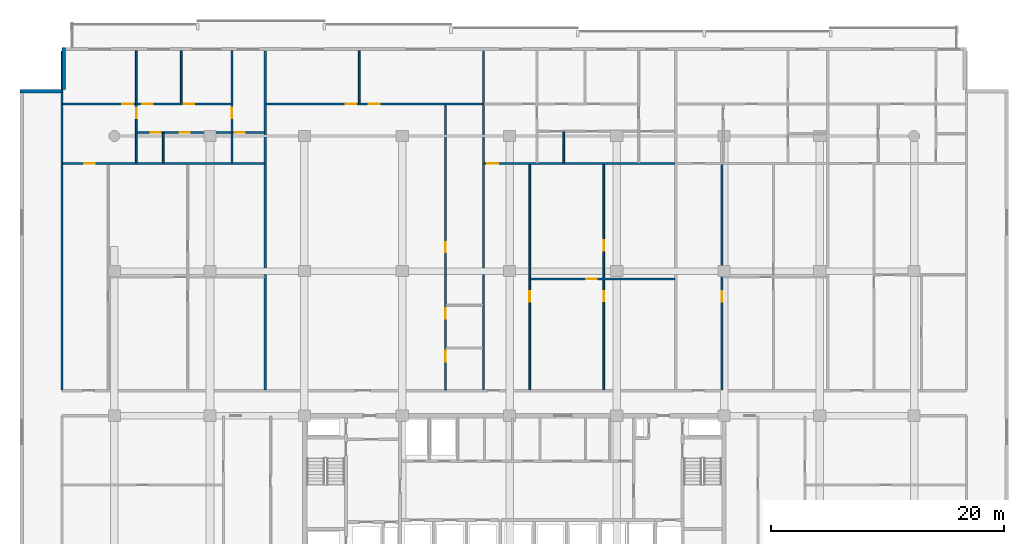
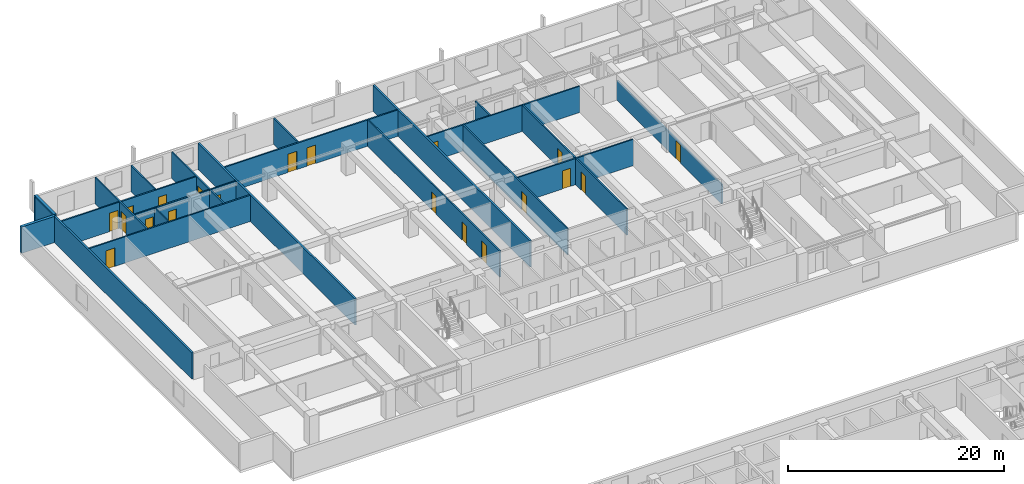
# One storey, part 14 of 23: 22 walls, 20 doors, 20 openings.
"""IFC4 building model written with IfcOpenShell, lengths in metres."""

import ifcopenshell
import ifcopenshell.guid

model = None  # the IFC model being written
_history = None  # IfcOwnerHistory: only IFC2X3 demands one
_inside = {}  # id of a spatial element -> (the spatial element, [elements in it])
_under = {}  # id of a project, library or spatial element -> (it, [spatial elements below it])
_declared = {}  # id of a project -> (the project, [libraries it declares])
_typed = {}  # id of a type object -> (the type object, [elements of that type])
_made_of = {}  # id of a material, layer set ... -> (it, [elements and type objects made of it])


def new_model(schema):
    """Start an empty IFC model of exactly this schema.

    Asked for "IFC4X3", IfcOpenShell would pick the latest addendum, in which some entities
    have other attributes; the version numbers below select the first issue.
    IFC2X3 requires an IfcOwnerHistory on every rooted entity: one is made here for all.
    """
    global model, _history
    if schema == "IFC4X3":
        model = ifcopenshell.file(schema_version=(4, 3, 0, 0))
    else:
        model = ifcopenshell.file(schema=schema)
    _inside.clear()
    _under.clear()
    _declared.clear()
    _typed.clear()
    _made_of.clear()
    _history = None
    if model.schema == "IFC2X3":
        org = make("IfcOrganization", Name="unknown")
        user = make(
            "IfcPersonAndOrganization",
            ThePerson=make("IfcPerson", FamilyName="unknown"),
            TheOrganization=org,
        )
        app = make(
            "IfcApplication",
            ApplicationDeveloper=org,
            Version="unknown",
            ApplicationFullName="unknown",
            ApplicationIdentifier="unknown",
        )
        _history = make(
            "IfcOwnerHistory",
            OwningUser=user,
            OwningApplication=app,
            ChangeAction="ADDED",
            CreationDate=0,
        )
    return model


def make(cls, **values):
    """One entity of the class cls with the attributes given. An attribute that is None is left unset."""
    return model.create_entity(
        cls, **{name: value for name, value in values.items() if value is not None}
    )


def rooted(cls, **values):
    """An entity with a GlobalId (a new one), such as an element, a storey or a relation."""
    return make(cls, GlobalId=ifcopenshell.guid.new(), OwnerHistory=_history, **values)


def si_unit(unit_type, name, prefix=None):
    """IfcSIUnit, for example si_unit("LENGTHUNIT", "METRE", prefix="MILLI")."""
    return make("IfcSIUnit", UnitType=unit_type, Prefix=prefix, Name=name)


def assignment(units):
    """IfcUnitAssignment: the units of a project."""
    return None if units is None else make("IfcUnitAssignment", Units=units)


def point(xyz):
    """IfcCartesianPoint."""
    return None if xyz is None else make("IfcCartesianPoint", Coordinates=xyz)


def direction(xyz):
    """IfcDirection."""
    return None if xyz is None else make("IfcDirection", DirectionRatios=xyz)


def frame(location, z_axis=None, x_axis=None):
    """IfcAxis2Placement3D, a coordinate frame: its origin and axes. An axis left out is left unset."""
    return make(
        "IfcAxis2Placement3D",
        Location=point(location),
        Axis=direction(z_axis),
        RefDirection=direction(x_axis),
    )


def frame_2d(location, x_axis=None):
    """IfcAxis2Placement2D, a coordinate frame in the plane: its origin and x axis."""
    return make(
        "IfcAxis2Placement2D", Location=point(location), RefDirection=direction(x_axis)
    )


def origin():
    """The frame at (0, 0, 0) with its axes left unset."""
    return frame((0.0, 0.0, 0.0))


def place(relative_to, where):
    """IfcLocalPlacement: puts the frame where relative to a parent placement (None: the world)."""
    return make(
        "IfcLocalPlacement", PlacementRelTo=relative_to, RelativePlacement=where
    )


def context(
    kind, dimensions, precision=None, world=None, true_north=None, identifier=None
):
    """IfcGeometricRepresentationContext, for example the 3D "Model" context."""
    return make(
        "IfcGeometricRepresentationContext",
        ContextIdentifier=identifier,
        ContextType=kind,
        CoordinateSpaceDimension=dimensions,
        Precision=precision,
        WorldCoordinateSystem=world,
        TrueNorth=true_north,
    )


def subcontext(parent, identifier, kind, view, scale=None):
    """IfcGeometricRepresentationSubContext, for example "Body" below "Model"."""
    return make(
        "IfcGeometricRepresentationSubContext",
        ContextIdentifier=identifier,
        ContextType=kind,
        ParentContext=parent,
        TargetScale=scale,
        TargetView=view,
    )


def project(units=None, contexts=None):
    """IfcProject with its units and contexts."""
    return rooted(
        "IfcProject",
        Name="project",
        RepresentationContexts=contexts,
        UnitsInContext=assignment(units),
    )


def spatial(cls, under=None, at=None, **own):
    """A site, building, storey or space (cls), placed at a placement, below another one or the project."""
    s = rooted(cls, ObjectPlacement=at, **own)
    if under is not None:
        _under.setdefault(under.id(), (under, []))[1].append(s)
    return s


def profile(cls, at=None, kind="AREA", **sizes):
    """A parametric profile (cls). Its sizes go by their IFC names, for example OverallWidth=200.0."""
    return make(cls, ProfileType=kind, Position=at, **sizes)


def rectangle(**sizes):
    """IfcRectangleProfileDef."""
    return profile("IfcRectangleProfileDef", **sizes)


def extrude(swept, where, along, depth):
    """IfcExtrudedAreaSolid: the profile swept, set in the frame where, extruded along a direction by depth."""
    return make(
        "IfcExtrudedAreaSolid",
        SweptArea=swept,
        Position=where,
        ExtrudedDirection=direction(along),
        Depth=depth,
    )


def shape(context_of_items, identifier, shape_type, items):
    """IfcShapeRepresentation: the items that make up one representation, for example the "Body"."""
    return make(
        "IfcShapeRepresentation",
        ContextOfItems=context_of_items,
        RepresentationIdentifier=identifier,
        RepresentationType=shape_type,
        Items=items,
    )


def material(Name=None, Category=None):
    """IfcMaterial."""
    return make("IfcMaterial", Name=Name, Category=Category)


def layer(
    of_material, thickness, ventilated=None, Name=None, Category=None, Priority=None
):
    """IfcMaterialLayer: one layer of a wall or slab, of a material (None: an air gap)."""
    return make(
        "IfcMaterialLayer",
        Material=of_material,
        LayerThickness=thickness,
        IsVentilated=ventilated,
        Name=Name,
        Category=Category,
        Priority=Priority,
    )


def layer_set(layers, Name=None):
    """IfcMaterialLayerSet."""
    return make("IfcMaterialLayerSet", MaterialLayers=layers, LayerSetName=Name)


def made_of(thing, what):
    """Note that an element or type object is made of a material, layer set ...; save() writes the relation."""
    if what is not None:
        _made_of.setdefault(what.id(), (what, []))[1].append(thing)
    return thing


def type_object(cls, material=None, **own):
    """A type object (cls), such as IfcWallType, which elements share."""
    return made_of(rooted(cls, **own), material)


def element(
    cls,
    number,
    at=None,
    inside=None,
    cuts=None,
    type_object=None,
    material=None,
    context=None,
    identifier="Body",
    shape_type=None,
    held_by="IfcProductDefinitionShape",
    body=None,
    shapes=None,
    **own,
):
    """One element of the class cls, such as IfcWall. Its Tag is "e" and its number.

    at: its placement. inside: the storey or other place that contains it. cuts: it is an
    opening in that element (IfcRelVoidsElement). A single representation is given by context,
    identifier, shape_type and body (its items); several are given by shapes. held_by: the class
    of the entity that holds the representations. save() writes the other relations.
    """
    e = rooted(cls, Tag="e%d" % number, ObjectPlacement=at, **own)
    if body is not None:
        shapes = [shape(context, identifier, shape_type, body)]
    if shapes is not None:
        e.Representation = make(held_by, Representations=shapes)
    if inside is not None:
        _inside.setdefault(inside.id(), (inside, []))[1].append(e)
    if cuts is not None:
        rooted(
            "IfcRelVoidsElement", RelatingBuildingElement=cuts, RelatedOpeningElement=e
        )
    if type_object is not None:
        _typed.setdefault(type_object.id(), (type_object, []))[1].append(e)
    return made_of(e, material)


def fill(opening, filler):
    """IfcRelFillsElement: the door or window that sits in an opening."""
    return rooted(
        "IfcRelFillsElement",
        RelatingOpeningElement=opening,
        RelatedBuildingElement=filler,
    )


def aggregate(whole, parts):
    """IfcRelAggregates: a whole, such as a stair, and the parts it consists of."""
    return rooted("IfcRelAggregates", RelatingObject=whole, RelatedObjects=parts)


def save(model, path):
    """Write the relations noted so far, then the file.

    IfcRelAggregates (storeys below a building ...), IfcRelContainedInSpatialStructure (elements
    in a storey), IfcRelDefinesByType, IfcRelAssociatesMaterial and IfcRelDeclares: one each for
    every whole, place, type object, material and project.
    """
    for whole, parts in _under.values():
        aggregate(whole, parts)
    for where, things in _inside.values():
        rooted(
            "IfcRelContainedInSpatialStructure",
            RelatedElements=things,
            RelatingStructure=where,
        )
    for kind, things in _typed.values():
        rooted("IfcRelDefinesByType", RelatedObjects=things, RelatingType=kind)
    for what, things in _made_of.values():
        rooted("IfcRelAssociatesMaterial", RelatedObjects=things, RelatingMaterial=what)
    for by, libraries in _declared.values():
        rooted("IfcRelDeclares", RelatingContext=by, RelatedDefinitions=libraries)
    model.write(path)


model = new_model("IFC4")

# Units and contexts
model_context = context("Model", 3, precision=1e-05, world=origin(), true_north=direction((0.0, 1.0)))
body_context = subcontext(model_context, "Body", "Model", "MODEL_VIEW")
ifc_project = project(units=[si_unit("LENGTHUNIT", "METRE"), si_unit("AREAUNIT", "SQUARE_METRE"), si_unit("VOLUMEUNIT", "CUBIC_METRE"), si_unit("PLANEANGLEUNIT", "RADIAN"), si_unit("MASSUNIT", "GRAM", prefix="KILO")], contexts=[model_context])

# Site, building, storey
site_placement = place(None, origin())
site = spatial("IfcSite", under=ifc_project, at=site_placement, CompositionType="ELEMENT")
building_placement = place(site_placement, origin())
building = spatial("IfcBuilding", under=site, at=building_placement, Name="Korimba Cascade Residences", CompositionType="ELEMENT")
storey_placement = place(building_placement, frame((0.0, 0.0, 69.5)))
storey = spatial("IfcBuildingStorey", under=building, at=storey_placement, Name="L19", CompositionType="ELEMENT", Elevation=69.5)

# Walls
ifc_material_1 = material(Name="Precast concrete C40/50", Category="concrete")
ifc_layer_1 = layer(ifc_material_1, 0.300048828125)
ifc_layer_set_1 = layer_set([ifc_layer_1], Name="Precast concrete C40/50")
wall_type_1 = type_object("IfcWallType", Name="EW-STONE-300", PredefinedType="STANDARD", material=ifc_layer_set_1)
for number, where, z_axis, x_axis, name in (
    (1, (55.449951171875, 98.800048828125, 0.0), (0.0, 0.0, 1.0), (0.0, -1.0, 0.0), "L19 T1 Perimeter Stone Wall E07"),
    (2, (55.300048828125, 95.050048828125, 0.0), (0.0, 0.0, 1.0), (-1.0, 0.0, 0.0), "L19 T1 Perimeter Stone Wall E08"),
):
    element("IfcWall", number, at=place(storey_placement, frame(where, z_axis=z_axis, x_axis=x_axis)), inside=storey, type_object=wall_type_1, Name=name, PredefinedType="STANDARD", context=body_context, shape_type="SweptSolid", body=[
        extrude(rectangle(XDim=3.60009765625, YDim=0.300048828125, at=frame_2d((1.800048828125, 0.0))), origin(), (0.0, 0.0, 1.0), 2.969970703125),
    ])
ifc_layer_2 = layer(ifc_material_1, 0.199951171875)
ifc_layer_set_2 = layer_set([ifc_layer_2], Name="Precast concrete C40/50")
wall_type_2 = type_object("IfcWallType", Name="WAL-IT-200", PredefinedType="PARTITIONING", material=ifc_layer_set_2)
for number, where, z_axis, x_axis, name in (
    (3, (55.300048828125, 69.429931640625, 0.0), (0.0, 0.0, 1.0), (0.0, 1.0, 0.0), "L19 Partition Wall WAL-L19-T1-BNDWL"),
    (4, (72.734130859375, 69.429931640625, 0.0), (0.0, 0.0, 1.0), (0.0, 1.0, 0.0), "L19 Partition Wall WAL-L19-T1-DEM-1"),
    (5, (91.4609375, 69.429931640625, 0.0), (0.0, 0.0, 1.0), (0.0, 1.0, 0.0), "L19 Partition Wall WAL-L19-T1-DEM-2"),
):
    element("IfcWall", number, at=place(storey_placement, frame(where, z_axis=z_axis, x_axis=x_axis)), inside=storey, type_object=wall_type_2, Name=name, PredefinedType="PARTITIONING", context=body_context, shape_type="SweptSolid", body=[
        extrude(rectangle(XDim=29.070068359375, YDim=0.199951171875, at=frame_2d((14.53515625, 0.0))), origin(), (0.0, 0.0, 1.0), 2.969970703125),
    ])
ifc_material_2 = material(Name="Insulated Acoustic Stud Partition", Category="gypsum")
ifc_layer_3 = layer(ifc_material_2, 0.14990234375)
ifc_layer_set_3 = layer_set([ifc_layer_3], Name="Insulated Acoustic Stud Partition")
wall_type_3 = type_object("IfcWallType", Name="WAL-PART-150", PredefinedType="PARTITIONING", material=ifc_layer_set_3)
wall_1_placement = place(storey_placement, frame((63.989990234375, 88.889892578125, 0.0), z_axis=(0.0, 0.0, 1.0), x_axis=(0.0, 1.0, 0.0)))
element("IfcWall", 6, at=wall_1_placement, inside=storey, type_object=wall_type_3, Name="L19 Partition Wall WAL-L19-T1-U01-VDRS", PredefinedType="PARTITIONING", context=body_context, shape_type="SweptSolid", body=[
    extrude(rectangle(XDim=2.580078125, YDim=0.14990234375, at=frame_2d((1.2900390625, 0.0))), origin(), (0.0, 0.0, 1.0), 2.969970703125),
])
wall_2_placement = place(storey_placement, frame((65.530029296875, 94.030029296875, 0.0), z_axis=(0.0, 0.0, 1.0), x_axis=(0.0, 1.0, 0.0)))
element("IfcWall", 7, at=wall_2_placement, inside=storey, type_object=wall_type_3, Name="L19 Partition Wall WAL-L19-T1-U01-VSTD", PredefinedType="PARTITIONING", context=body_context, shape_type="SweptSolid", body=[
    extrude(rectangle(XDim=4.469970703125, YDim=0.14990234375, at=frame_2d((2.23486328125, 0.0))), origin(), (0.0, 0.0, 1.0), 2.969970703125),
])

# Wall, opening, door
wall_3_placement = place(storey_placement, frame((61.679931640625, 88.889892578125, 0.0), z_axis=(0.0, 0.0, 1.0), x_axis=(0.0, 1.0, 0.0)))
wall_3 = element("IfcWall", 8, at=wall_3_placement, inside=storey, type_object=wall_type_3, Name="L19 Partition Wall WAL-L19-T1-U01-V1", PredefinedType="PARTITIONING", context=body_context, shape_type="SweptSolid", body=[
    extrude(rectangle(XDim=9.610107421875, YDim=0.14990234375, at=frame_2d((4.80517578125, 0.0))), origin(), (0.0, 0.0, 1.0), 2.969970703125),
])
opening_1_placement = place(wall_3_placement, frame((3.820068359375, 0.0, 0.0)))
opening_1 = element("IfcOpeningElement", 9, at=opening_1_placement, cuts=wall_3, Name="Opening D-IN1", PredefinedType="OPENING", context=body_context, shape_type="SweptSolid", body=[
    extrude(rectangle(XDim=0.919921875, YDim=2.080078125, at=frame_2d((0.4599609375, 1.0400390625))), frame((0.0, 0.0849609375, 0.0), z_axis=(0.0, -1.0, 0.0), x_axis=(1.0, 0.0, 0.0)), (0.0, 0.0, 1.0), 0.169921875),
])
ifc_material_3 = material(Name="Acoustic Timber Living Door", Category="wood")
door_type_1 = type_object("IfcDoorType", Name="DR-INT-920", OperationType="NOTDEFINED", PredefinedType="DOOR", material=ifc_material_3)
door_1_placement = place(opening_1_placement, origin())
door_1 = element("IfcDoor", 10, at=door_1_placement, inside=storey, type_object=door_type_1, Name="L19-T1-U01 Hallway Door", OperationType="SINGLE_SWING_RIGHT", OverallHeight=2.080078125, OverallWidth=0.919921875, PredefinedType="DOOR", context=body_context, shape_type="SweptSolid", body=[
    extrude(rectangle(XDim=0.919921875, YDim=2.080078125, at=frame_2d((0.4599609375, 1.0400390625))), frame((0.0, 0.02490234375, 0.0), z_axis=(0.0, -1.0, 0.0), x_axis=(1.0, 0.0, 0.0)), (0.0, 0.0, 1.0), 0.050048828125),
])
fill(opening_1, door_1)

# Wall
wall_4_placement = place(storey_placement, frame((69.8798828125, 88.889892578125, 0.0), z_axis=(0.0, 0.0, 1.0), x_axis=(0.0, 1.0, 0.0)))
element("IfcWall", 11, at=wall_4_placement, inside=storey, type_object=wall_type_3, Name="L19 Partition Wall WAL-L19-T1-U01-VBATH", PredefinedType="PARTITIONING", context=body_context, shape_type="SweptSolid", body=[
    extrude(rectangle(XDim=2.580078125, YDim=0.14990234375, at=frame_2d((1.2900390625, 0.0))), origin(), (0.0, 0.0, 1.0), 2.969970703125),
])

# Wall, opening, door
wall_5_placement = place(storey_placement, frame((69.8798828125, 91.510009765625, 0.0), z_axis=(0.0, 0.0, 1.0), x_axis=(0.0, 1.0, 0.0)))
wall_5 = element("IfcWall", 12, at=wall_5_placement, inside=storey, type_object=wall_type_3, Name="L19 Partition Wall WAL-L19-T1-U01-V2FULL", PredefinedType="PARTITIONING", context=body_context, shape_type="SweptSolid", body=[
    extrude(rectangle(XDim=6.989990234375, YDim=0.14990234375, at=frame_2d((3.4951171875, 0.0))), origin(), (0.0, 0.0, 1.0), 2.969970703125),
])
opening_2_placement = place(wall_5_placement, frame((1.199951171875, 0.0, 0.0)))
opening_2 = element("IfcOpeningElement", 13, at=opening_2_placement, cuts=wall_5, Name="Opening D-IN1", PredefinedType="OPENING", context=body_context, shape_type="SweptSolid", body=[
    extrude(rectangle(XDim=0.919921875, YDim=2.080078125, at=frame_2d((0.4599609375, 1.0400390625))), frame((0.0, 0.0849609375, 0.0), z_axis=(0.0, -1.0, 0.0), x_axis=(1.0, 0.0, 0.0)), (0.0, 0.0, 1.0), 0.169921875),
])
door_2_placement = place(opening_2_placement, origin())
door_2 = element("IfcDoor", 14, at=door_2_placement, inside=storey, type_object=door_type_1, Name="L19-T1-U01 Master Bedroom Door", OperationType="SINGLE_SWING_LEFT", OverallHeight=2.080078125, OverallWidth=0.919921875, PredefinedType="DOOR", context=body_context, shape_type="SweptSolid", body=[
    extrude(rectangle(XDim=0.919921875, YDim=2.080078125, at=frame_2d((0.4599609375, 1.0400390625))), frame((0.0, 0.02490234375, 0.0), z_axis=(0.0, -1.0, 0.0), x_axis=(1.0, 0.0, 0.0)), (0.0, 0.0, 1.0), 0.050048828125),
])
fill(opening_2, door_2)

# Wall, openings, doors
wall_6_placement = place(storey_placement, frame((61.719970703125, 91.489990234375, 0.0), z_axis=(0.0, 0.0, 1.0), x_axis=(1.0, 0.0, 0.0)))
wall_6 = element("IfcWall", 15, at=wall_6_placement, inside=storey, type_object=wall_type_3, Name="L19 Partition Wall WAL-L19-T1-U01-HWALL", PredefinedType="PARTITIONING", context=body_context, shape_type="SweptSolid", body=[
    extrude(rectangle(XDim=10.93408203125, YDim=0.14990234375, at=frame_2d((5.467041015625, 0.0))), origin(), (0.0, 0.0, 1.0), 2.969970703125),
])
opening_3_placement = place(wall_6_placement, frame((1.2099609375, 0.0, 0.0)))
opening_3 = element("IfcOpeningElement", 16, at=opening_3_placement, cuts=wall_6, Name="Opening D-BT1", PredefinedType="OPENING", context=body_context, shape_type="SweptSolid", body=[
    extrude(rectangle(XDim=0.840087890625, YDim=2.0400390625, at=frame_2d((0.419921875, 1.02001953125))), frame((0.0, 0.0849609375, 0.0), z_axis=(0.0, -1.0, 0.0), x_axis=(1.0, 0.0, 0.0)), (0.0, 0.0, 1.0), 0.169921875),
])
opening_4_placement = place(wall_6_placement, frame((3.688720703125, 0.0, 0.0)))
opening_4 = element("IfcOpeningElement", 17, at=opening_4_placement, cuts=wall_6, Name="Opening D-BT1", PredefinedType="OPENING", context=body_context, shape_type="SweptSolid", body=[
    extrude(rectangle(XDim=0.840087890625, YDim=2.0400390625, at=frame_2d((0.419921875, 1.02001953125))), frame((0.0, 0.0849609375, 0.0), z_axis=(0.0, -1.0, 0.0), x_axis=(1.0, 0.0, 0.0)), (0.0, 0.0, 1.0), 0.169921875),
])
opening_5_placement = place(wall_6_placement, frame((8.409912109375, 0.0, 0.0)))
opening_5 = element("IfcOpeningElement", 18, at=opening_5_placement, cuts=wall_6, Name="Opening D-BT1", PredefinedType="OPENING", context=body_context, shape_type="SweptSolid", body=[
    extrude(rectangle(XDim=0.840087890625, YDim=2.0400390625, at=frame_2d((0.419921875, 1.02001953125))), frame((0.0, 0.0849609375, 0.0), z_axis=(0.0, -1.0, 0.0), x_axis=(1.0, 0.0, 0.0)), (0.0, 0.0, 1.0), 0.169921875),
])
ifc_material_4 = material(Name="Moisture-Resistant Bathroom Timber Door", Category="wood")
door_type_2 = type_object("IfcDoorType", Name="DR-INT-850", OperationType="NOTDEFINED", PredefinedType="DOOR", material=ifc_material_4)
door_3_placement = place(opening_3_placement, origin())
door_3 = element("IfcDoor", 19, at=door_3_placement, inside=storey, type_object=door_type_2, Name="L19-T1-U01 Family Bathroom Door", OperationType="SINGLE_SWING_RIGHT", OverallHeight=2.0400390625, OverallWidth=0.840087890625, PredefinedType="DOOR", context=body_context, shape_type="SweptSolid", body=[
    extrude(rectangle(XDim=0.840087890625, YDim=2.0400390625, at=frame_2d((0.419921875, 1.02001953125))), frame((0.0, 0.02490234375, 0.0), z_axis=(0.0, -1.0, 0.0), x_axis=(1.0, 0.0, 0.0)), (0.0, 0.0, 1.0), 0.050048828125),
])
fill(opening_3, door_3)
door_4_placement = place(opening_4_placement, origin())
door_4 = element("IfcDoor", 20, at=door_4_placement, inside=storey, type_object=door_type_2, Name="L19-T1-U01 Dressing Room Door", OperationType="SINGLE_SWING_LEFT", OverallHeight=2.0400390625, OverallWidth=0.840087890625, PredefinedType="DOOR", context=body_context, shape_type="SweptSolid", body=[
    extrude(rectangle(XDim=0.840087890625, YDim=2.0400390625, at=frame_2d((0.419921875, 1.02001953125))), frame((0.0, 0.02490234375, 0.0), z_axis=(0.0, -1.0, 0.0), x_axis=(1.0, 0.0, 0.0)), (0.0, 0.0, 1.0), 0.050048828125),
])
fill(opening_4, door_4)
door_5_placement = place(opening_5_placement, origin())
door_5 = element("IfcDoor", 21, at=door_5_placement, inside=storey, type_object=door_type_2, Name="L19-T1-U01 En-Suite Door", OperationType="SINGLE_SWING_RIGHT", OverallHeight=2.0400390625, OverallWidth=0.840087890625, PredefinedType="DOOR", context=body_context, shape_type="SweptSolid", body=[
    extrude(rectangle(XDim=0.840087890625, YDim=2.0400390625, at=frame_2d((0.419921875, 1.02001953125))), frame((0.0, 0.02490234375, 0.0), z_axis=(0.0, -1.0, 0.0), x_axis=(1.0, 0.0, 0.0)), (0.0, 0.0, 1.0), 0.050048828125),
])
fill(opening_5, door_5)

# Wall, opening, door
wall_7_placement = place(storey_placement, frame((55.3798828125, 88.85009765625, 0.0), z_axis=(0.0, 0.0, 1.0), x_axis=(1.0, 0.0, 0.0)))
wall_7 = element("IfcWall", 22, at=wall_7_placement, inside=storey, type_object=wall_type_3, Name="L19 Partition Wall WAL-L19-T1-U01-MW", PredefinedType="PARTITIONING", context=body_context, shape_type="SweptSolid", body=[
    extrude(rectangle(XDim=17.274169921875, YDim=0.14990234375, at=frame_2d((8.63720703125, 0.0))), origin(), (0.0, 0.0, 1.0), 2.969970703125),
])
opening_6_placement = place(wall_7_placement, frame((1.830810546875, 0.0, 0.0)))
opening_6 = element("IfcOpeningElement", 23, at=opening_6_placement, cuts=wall_7, Name="Opening D-IN1", PredefinedType="OPENING", context=body_context, shape_type="SweptSolid", body=[
    extrude(rectangle(XDim=0.919921875, YDim=2.080078125, at=frame_2d((0.4599609375, 1.0400390625))), frame((0.0, 0.0849609375, 0.0), z_axis=(0.0, -1.0, 0.0), x_axis=(1.0, 0.0, 0.0)), (0.0, 0.0, 1.0), 0.169921875),
])
door_6_placement = place(opening_6_placement, origin())
door_6 = element("IfcDoor", 24, at=door_6_placement, inside=storey, type_object=door_type_1, Name="L19-T1-U01 Kitchen Door", OperationType="SINGLE_SWING_LEFT", OverallHeight=2.080078125, OverallWidth=0.919921875, PredefinedType="DOOR", context=body_context, shape_type="SweptSolid", body=[
    extrude(rectangle(XDim=0.919921875, YDim=2.080078125, at=frame_2d((0.4599609375, 1.0400390625))), frame((0.0, 0.02490234375, 0.0), z_axis=(0.0, -1.0, 0.0), x_axis=(1.0, 0.0, 0.0)), (0.0, 0.0, 1.0), 0.050048828125),
])
fill(opening_6, door_6)

# Wall, openings, doors
wall_8_placement = place(storey_placement, frame((55.3798828125, 93.949951171875, 0.0), z_axis=(0.0, 0.0, 1.0), x_axis=(1.0, 0.0, 0.0)))
wall_8 = element("IfcWall", 25, at=wall_8_placement, inside=storey, type_object=wall_type_3, Name="L19 Partition Wall WAL-L19-T1-U01-HZ", PredefinedType="PARTITIONING", context=body_context, shape_type="SweptSolid", body=[
    extrude(rectangle(XDim=14.5, YDim=0.14990234375, at=frame_2d((7.25, 0.0))), origin(), (0.0, 0.0, 1.0), 2.969970703125),
])
opening_7_placement = place(wall_8_placement, frame((5.110107421875, 0.0, 0.0)))
opening_7 = element("IfcOpeningElement", 26, at=opening_7_placement, cuts=wall_8, Name="Opening D-IN0", PredefinedType="OPENING", context=body_context, shape_type="SweptSolid", body=[
    extrude(rectangle(XDim=0.93994140625, YDim=2.10009765625, at=frame_2d((0.469970703125, 1.050048828125))), frame((0.0, 0.0849609375, 0.0), z_axis=(0.0, -1.0, 0.0), x_axis=(1.0, 0.0, 0.0)), (0.0, 0.0, 1.0), 0.169921875),
])
opening_8_placement = place(wall_8_placement, frame((6.81005859375, 0.0, 0.0)))
opening_8 = element("IfcOpeningElement", 27, at=opening_8_placement, cuts=wall_8, Name="Opening D-IN2", PredefinedType="OPENING", context=body_context, shape_type="SweptSolid", body=[
    extrude(rectangle(XDim=0.8798828125, YDim=2.06005859375, at=frame_2d((0.43994140625, 1.030029296875))), frame((0.0, 0.0849609375, 0.0), z_axis=(0.0, -1.0, 0.0), x_axis=(1.0, 0.0, 0.0)), (0.0, 0.0, 1.0), 0.169921875),
])
opening_9_placement = place(wall_8_placement, frame((10.3701171875, 0.0, 0.0)))
opening_9 = element("IfcOpeningElement", 28, at=opening_9_placement, cuts=wall_8, Name="Opening D-IN2", PredefinedType="OPENING", context=body_context, shape_type="SweptSolid", body=[
    extrude(rectangle(XDim=0.8798828125, YDim=2.06005859375, at=frame_2d((0.43994140625, 1.030029296875))), frame((0.0, 0.0849609375, 0.0), z_axis=(0.0, -1.0, 0.0), x_axis=(1.0, 0.0, 0.0)), (0.0, 0.0, 1.0), 0.169921875),
])
ifc_material_5 = material(Name="Acoustic Timber Bedroom Door", Category="wood")
door_type_3 = type_object("IfcDoorType", Name="DR-INT-880", OperationType="NOTDEFINED", PredefinedType="DOOR", material=ifc_material_5)
door_7_placement = place(opening_8_placement, origin())
door_7 = element("IfcDoor", 29, at=door_7_placement, inside=storey, type_object=door_type_3, Name="L19-T1-U01 Bedroom 2 Door", OperationType="SINGLE_SWING_LEFT", OverallHeight=2.06005859375, OverallWidth=0.8798828125, PredefinedType="DOOR", context=body_context, shape_type="SweptSolid", body=[
    extrude(rectangle(XDim=0.8798828125, YDim=2.06005859375, at=frame_2d((0.43994140625, 1.030029296875))), frame((0.0, 0.02490234375, 0.0), z_axis=(0.0, -1.0, 0.0), x_axis=(1.0, 0.0, 0.0)), (0.0, 0.0, 1.0), 0.050048828125),
])
fill(opening_8, door_7)
door_8_placement = place(opening_9_placement, origin())
door_8 = element("IfcDoor", 30, at=door_8_placement, inside=storey, type_object=door_type_3, Name="L19-T1-U01 Study Door", OperationType="SINGLE_SWING_RIGHT", OverallHeight=2.06005859375, OverallWidth=0.8798828125, PredefinedType="DOOR", context=body_context, shape_type="SweptSolid", body=[
    extrude(rectangle(XDim=0.8798828125, YDim=2.06005859375, at=frame_2d((0.43994140625, 1.030029296875))), frame((0.0, 0.02490234375, 0.0), z_axis=(0.0, -1.0, 0.0), x_axis=(1.0, 0.0, 0.0)), (0.0, 0.0, 1.0), 0.050048828125),
])
fill(opening_9, door_8)
ifc_material_6 = material(Name="Acoustic Timber Living Archway Door", Category="wood")
door_type_4 = type_object("IfcDoorType", Name="DR-INT-950", OperationType="NOTDEFINED", PredefinedType="DOOR", material=ifc_material_6)
door_9_placement = place(opening_7_placement, origin())
door_9 = element("IfcDoor", 31, at=door_9_placement, inside=storey, type_object=door_type_4, Name="L19-T1-U01 Living Room Door", OperationType="SINGLE_SWING_RIGHT", OverallHeight=2.10009765625, OverallWidth=0.93994140625, PredefinedType="DOOR", context=body_context, shape_type="SweptSolid", body=[
    extrude(rectangle(XDim=0.93994140625, YDim=2.10009765625, at=frame_2d((0.469970703125, 1.050048828125))), frame((0.0, 0.02490234375, 0.0), z_axis=(0.0, -1.0, 0.0), x_axis=(1.0, 0.0, 0.0)), (0.0, 0.0, 1.0), 0.050048828125),
])
fill(opening_7, door_9)

wall_9_placement = place(storey_placement, frame((88.19091796875, 69.409912109375, 0.0), z_axis=(0.0, 0.0, 1.0), x_axis=(0.0, 1.0, 0.0)))
wall_9 = element("IfcWall", 32, at=wall_9_placement, inside=storey, type_object=wall_type_3, Name="L19 Partition Wall WAL-L19-T1-U02-WCV", PredefinedType="PARTITIONING", context=body_context, shape_type="SweptSolid", body=[
    extrude(rectangle(XDim=24.47998046875, YDim=0.14990234375, at=frame_2d((12.239990234375, 0.0))), origin(), (0.0, 0.0, 1.0), 2.969970703125),
])
opening_10_placement = place(wall_9_placement, frame((2.406005859375, 0.0, 0.0)))
opening_10 = element("IfcOpeningElement", 33, at=opening_10_placement, cuts=wall_9, Name="Opening D-AC1", PredefinedType="OPENING", context=body_context, shape_type="SweptSolid", body=[
    extrude(rectangle(XDim=0.9599609375, YDim=2.10009765625, at=frame_2d((0.47998046875, 1.050048828125))), frame((0.0, 0.0849609375, 0.0), z_axis=(0.0, -1.0, 0.0), x_axis=(1.0, 0.0, 0.0)), (0.0, 0.0, 1.0), 0.169921875),
])
opening_11_placement = place(wall_9_placement, frame((6.132568359375, 0.0, 0.0)))
opening_11 = element("IfcOpeningElement", 34, at=opening_11_placement, cuts=wall_9, Name="Opening D-IN2", PredefinedType="OPENING", context=body_context, shape_type="SweptSolid", body=[
    extrude(rectangle(XDim=0.8798828125, YDim=2.06005859375, at=frame_2d((0.43994140625, 1.030029296875))), frame((0.0, 0.0849609375, 0.0), z_axis=(0.0, -1.0, 0.0), x_axis=(1.0, 0.0, 0.0)), (0.0, 0.0, 1.0), 0.169921875),
])
opening_12_placement = place(wall_9_placement, frame((11.820068359375, 0.0, 0.0)))
opening_12 = element("IfcOpeningElement", 35, at=opening_12_placement, cuts=wall_9, Name="Opening D-BT1", PredefinedType="OPENING", context=body_context, shape_type="SweptSolid", body=[
    extrude(rectangle(XDim=0.840087890625, YDim=2.0400390625, at=frame_2d((0.419921875, 1.02001953125))), frame((0.0, 0.0849609375, 0.0), z_axis=(0.0, -1.0, 0.0), x_axis=(1.0, 0.0, 0.0)), (0.0, 0.0, 1.0), 0.169921875),
])
ifc_material_7 = material(Name="Accessible Acoustic Timber WC Door", Category="wood")
door_type_5 = type_object("IfcDoorType", Name="DR-ACC-950", OperationType="NOTDEFINED", PredefinedType="DOOR", material=ifc_material_7)
door_10_placement = place(opening_10_placement, origin())
door_10 = element("IfcDoor", 36, at=door_10_placement, inside=storey, type_object=door_type_5, Name="L19-T1-U02 Accessible WC Door", OperationType="SINGLE_SWING_LEFT", OverallHeight=2.10009765625, OverallWidth=0.9599609375, PredefinedType="DOOR", context=body_context, shape_type="SweptSolid", body=[
    extrude(rectangle(XDim=0.9599609375, YDim=2.10009765625, at=frame_2d((0.47998046875, 1.050048828125))), frame((0.0, 0.02490234375, 0.0), z_axis=(0.0, -1.0, 0.0), x_axis=(1.0, 0.0, 0.0)), (0.0, 0.0, 1.0), 0.050048828125),
])
fill(opening_10, door_10)
door_11_placement = place(opening_12_placement, origin())
door_11 = element("IfcDoor", 37, at=door_11_placement, inside=storey, type_object=door_type_2, Name="L19-T1-U02 Suite Store Door", OperationType="SINGLE_SWING_LEFT", OverallHeight=2.0400390625, OverallWidth=0.840087890625, PredefinedType="DOOR", context=body_context, shape_type="SweptSolid", body=[
    extrude(rectangle(XDim=0.840087890625, YDim=2.0400390625, at=frame_2d((0.419921875, 1.02001953125))), frame((0.0, 0.02490234375, 0.0), z_axis=(0.0, -1.0, 0.0), x_axis=(1.0, 0.0, 0.0)), (0.0, 0.0, 1.0), 0.050048828125),
])
fill(opening_12, door_11)
door_12_placement = place(opening_11_placement, origin())
door_12 = element("IfcDoor", 38, at=door_12_placement, inside=storey, type_object=door_type_3, Name="L19-T1-U02 Restroom WC Door", OperationType="SINGLE_SWING_RIGHT", OverallHeight=2.06005859375, OverallWidth=0.8798828125, PredefinedType="DOOR", context=body_context, shape_type="SweptSolid", body=[
    extrude(rectangle(XDim=0.8798828125, YDim=2.06005859375, at=frame_2d((0.43994140625, 1.030029296875))), frame((0.0, 0.02490234375, 0.0), z_axis=(0.0, -1.0, 0.0), x_axis=(1.0, 0.0, 0.0)), (0.0, 0.0, 1.0), 0.050048828125),
])
fill(opening_11, door_12)

# Wall
wall_10_placement = place(storey_placement, frame((80.79248046875, 94.030029296875, 0.0), z_axis=(0.0, 0.0, 1.0), x_axis=(0.0, 1.0, 0.0)))
element("IfcWall", 39, at=wall_10_placement, inside=storey, type_object=wall_type_3, Name="L19 Partition Wall WAL-L19-T1-U02-OUTV", PredefinedType="PARTITIONING", context=body_context, shape_type="SweptSolid", body=[
    extrude(rectangle(XDim=4.469970703125, YDim=0.14990234375, at=frame_2d((2.23486328125, 0.0))), origin(), (0.0, 0.0, 1.0), 2.969970703125),
])

# Wall, openings, doors
wall_11_placement = place(storey_placement, frame((72.814208984375, 93.949951171875, 0.0), z_axis=(0.0, 0.0, 1.0), x_axis=(1.0, 0.0, 0.0)))
wall_11 = element("IfcWall", 40, at=wall_11_placement, inside=storey, type_object=wall_type_3, Name="L19 Partition Wall WAL-L19-T1-U02-HZ", PredefinedType="PARTITIONING", context=body_context, shape_type="SweptSolid", body=[
    extrude(rectangle(XDim=18.566650390625, YDim=0.14990234375, at=frame_2d((9.283203125, 0.0))), origin(), (0.0, 0.0, 1.0), 2.969970703125),
])
opening_13_placement = place(wall_11_placement, frame((6.808349609375, 0.0, 0.0)))
opening_13 = element("IfcOpeningElement", 41, at=opening_13_placement, cuts=wall_11, Name="Opening D-ST1", PredefinedType="OPENING", context=body_context, shape_type="SweptSolid", body=[
    extrude(rectangle(XDim=0.919921875, YDim=2.080078125, at=frame_2d((0.4599609375, 1.0400390625))), frame((0.0, 0.0849609375, 0.0), z_axis=(0.0, -1.0, 0.0), x_axis=(1.0, 0.0, 0.0)), (0.0, 0.0, 1.0), 0.169921875),
])
opening_14_placement = place(wall_11_placement, frame((8.823486328125, 0.0, 0.0)))
opening_14 = element("IfcOpeningElement", 42, at=opening_14_placement, cuts=wall_11, Name="Opening D-ST1", PredefinedType="OPENING", context=body_context, shape_type="SweptSolid", body=[
    extrude(rectangle(XDim=0.919921875, YDim=2.080078125, at=frame_2d((0.4599609375, 1.0400390625))), frame((0.0, 0.0849609375, 0.0), z_axis=(0.0, -1.0, 0.0), x_axis=(1.0, 0.0, 0.0)), (0.0, 0.0, 1.0), 0.169921875),
])
ifc_material_8 = material(Name="Fire-Rated Core Store Door", Category="wood")
door_type_6 = type_object("IfcDoorType", Name="DR-FD60-920", OperationType="NOTDEFINED", PredefinedType="DOOR", material=ifc_material_8)
door_13_placement = place(opening_13_placement, origin())
door_13 = element("IfcDoor", 43, at=door_13_placement, inside=storey, type_object=door_type_6, Name="L19-T1-U02 Sky Lobby Concierge Door", OperationType="SINGLE_SWING_RIGHT", OverallHeight=2.080078125, OverallWidth=0.919921875, PredefinedType="DOOR", context=body_context, shape_type="SweptSolid", body=[
    extrude(rectangle(XDim=0.919921875, YDim=2.080078125, at=frame_2d((0.4599609375, 1.0400390625))), frame((0.0, 0.02490234375, 0.0), z_axis=(0.0, -1.0, 0.0), x_axis=(1.0, 0.0, 0.0)), (0.0, 0.0, 1.0), 0.050048828125),
])
fill(opening_13, door_13)
door_14_placement = place(opening_14_placement, origin())
door_14 = element("IfcDoor", 44, at=door_14_placement, inside=storey, type_object=door_type_6, Name="L19-T1-U02 Horizon Observation Atrium Door", OperationType="SINGLE_SWING_LEFT", OverallHeight=2.080078125, OverallWidth=0.919921875, PredefinedType="DOOR", context=body_context, shape_type="SweptSolid", body=[
    extrude(rectangle(XDim=0.919921875, YDim=2.080078125, at=frame_2d((0.4599609375, 1.0400390625))), frame((0.0, 0.02490234375, 0.0), z_axis=(0.0, -1.0, 0.0), x_axis=(1.0, 0.0, 0.0)), (0.0, 0.0, 1.0), 0.050048828125),
])
fill(opening_14, door_14)

wall_12_placement = place(storey_placement, frame((101.77978515625, 69.409912109375, 0.0), z_axis=(0.0, 0.0, 1.0), x_axis=(0.0, 1.0, 0.0)))
wall_12 = element("IfcWall", 45, at=wall_12_placement, inside=storey, type_object=wall_type_3, Name="L19 Partition Wall WAL-L19-T1-U03-FMV", PredefinedType="PARTITIONING", context=body_context, shape_type="SweptSolid", body=[
    extrude(rectangle(XDim=19.400146484375, YDim=0.14990234375, at=frame_2d((9.7001953125, 0.0))), origin(), (0.0, 0.0, 1.0), 2.969970703125),
])
opening_15_placement = place(wall_12_placement, frame((7.6220703125, 0.0, 0.0)))
opening_15 = element("IfcOpeningElement", 46, at=opening_15_placement, cuts=wall_12, Name="Opening D-BT1", PredefinedType="OPENING", context=body_context, shape_type="SweptSolid", body=[
    extrude(rectangle(XDim=0.840087890625, YDim=2.0400390625, at=frame_2d((0.419921875, 1.02001953125))), frame((0.0, 0.0849609375, 0.0), z_axis=(0.0, -1.0, 0.0), x_axis=(1.0, 0.0, 0.0)), (0.0, 0.0, 1.0), 0.169921875),
])
opening_16_placement = place(wall_12_placement, frame((11.9541015625, 0.0, 0.0)))
opening_16 = element("IfcOpeningElement", 47, at=opening_16_placement, cuts=wall_12, Name="Opening D-IN2", PredefinedType="OPENING", context=body_context, shape_type="SweptSolid", body=[
    extrude(rectangle(XDim=0.8798828125, YDim=2.06005859375, at=frame_2d((0.43994140625, 1.030029296875))), frame((0.0, 0.0849609375, 0.0), z_axis=(0.0, -1.0, 0.0), x_axis=(1.0, 0.0, 0.0)), (0.0, 0.0, 1.0), 0.169921875),
])
door_15_placement = place(opening_15_placement, origin())
door_15 = element("IfcDoor", 48, at=door_15_placement, inside=storey, type_object=door_type_2, Name="L19-T1-U03 Wardrobe Door", OperationType="SINGLE_SWING_RIGHT", OverallHeight=2.0400390625, OverallWidth=0.840087890625, PredefinedType="DOOR", context=body_context, shape_type="SweptSolid", body=[
    extrude(rectangle(XDim=0.840087890625, YDim=2.0400390625, at=frame_2d((0.419921875, 1.02001953125))), frame((0.0, 0.02490234375, 0.0), z_axis=(0.0, -1.0, 0.0), x_axis=(1.0, 0.0, 0.0)), (0.0, 0.0, 1.0), 0.050048828125),
])
fill(opening_15, door_15)
door_16_placement = place(opening_16_placement, origin())
door_16 = element("IfcDoor", 49, at=door_16_placement, inside=storey, type_object=door_type_3, Name="L19-T1-U03 Music Lounge Door", OperationType="SINGLE_SWING_LEFT", OverallHeight=2.06005859375, OverallWidth=0.8798828125, PredefinedType="DOOR", context=body_context, shape_type="SweptSolid", body=[
    extrude(rectangle(XDim=0.8798828125, YDim=2.06005859375, at=frame_2d((0.43994140625, 1.030029296875))), frame((0.0, 0.02490234375, 0.0), z_axis=(0.0, -1.0, 0.0), x_axis=(1.0, 0.0, 0.0)), (0.0, 0.0, 1.0), 0.050048828125),
])
fill(opening_16, door_16)

# Wall, opening, door
wall_13_placement = place(storey_placement, frame((95.490966796875, 78.929931640625, 0.0), z_axis=(0.0, 0.0, 1.0), x_axis=(1.0, 0.0, 0.0)))
wall_13 = element("IfcWall", 50, at=wall_13_placement, inside=storey, type_object=wall_type_3, Name="L19 Partition Wall WAL-L19-T1-U03-FMH", PredefinedType="PARTITIONING", context=body_context, shape_type="SweptSolid", body=[
    extrude(rectangle(XDim=12.377685546875, YDim=0.14990234375, at=frame_2d((6.18896484375, 0.0))), origin(), (0.0, 0.0, 1.0), 2.969970703125),
])
opening_17_placement = place(wall_13_placement, frame((4.8017578125, 0.0, 0.0)))
opening_17 = element("IfcOpeningElement", 51, at=opening_17_placement, cuts=wall_13, Name="Opening D-IN2", PredefinedType="OPENING", context=body_context, shape_type="SweptSolid", body=[
    extrude(rectangle(XDim=0.8798828125, YDim=2.06005859375, at=frame_2d((0.43994140625, 1.030029296875))), frame((0.0, 0.0849609375, 0.0), z_axis=(0.0, -1.0, 0.0), x_axis=(1.0, 0.0, 0.0)), (0.0, 0.0, 1.0), 0.169921875),
])
door_17_placement = place(opening_17_placement, origin())
door_17 = element("IfcDoor", 52, at=door_17_placement, inside=storey, type_object=door_type_3, Name="L19-T1-U03 Library Salon Door", OperationType="SINGLE_SWING_RIGHT", OverallHeight=2.06005859375, OverallWidth=0.8798828125, PredefinedType="DOOR", context=body_context, shape_type="SweptSolid", body=[
    extrude(rectangle(XDim=0.8798828125, YDim=2.06005859375, at=frame_2d((0.43994140625, 1.030029296875))), frame((0.0, 0.02490234375, 0.0), z_axis=(0.0, -1.0, 0.0), x_axis=(1.0, 0.0, 0.0)), (0.0, 0.0, 1.0), 0.050048828125),
])
fill(opening_17, door_17)

wall_14_placement = place(storey_placement, frame((95.430908203125, 69.409912109375, 0.0), z_axis=(0.0, 0.0, 1.0), x_axis=(0.0, 1.0, 0.0)))
wall_14 = element("IfcWall", 53, at=wall_14_placement, inside=storey, type_object=wall_type_3, Name="L19 Partition Wall WAL-L19-T1-U03-FV", PredefinedType="PARTITIONING", context=body_context, shape_type="SweptSolid", body=[
    extrude(rectangle(XDim=19.400146484375, YDim=0.14990234375, at=frame_2d((9.7001953125, 0.0))), origin(), (0.0, 0.0, 1.0), 2.969970703125),
])
opening_18_placement = place(wall_14_placement, frame((7.5859375, 0.0, 0.0)))
opening_18 = element("IfcOpeningElement", 54, at=opening_18_placement, cuts=wall_14, Name="Opening D-IN2", PredefinedType="OPENING", context=body_context, shape_type="SweptSolid", body=[
    extrude(rectangle(XDim=0.8798828125, YDim=2.06005859375, at=frame_2d((0.43994140625, 1.030029296875))), frame((0.0, 0.0849609375, 0.0), z_axis=(0.0, -1.0, 0.0), x_axis=(1.0, 0.0, 0.0)), (0.0, 0.0, 1.0), 0.169921875),
])
door_18_placement = place(opening_18_placement, origin())
door_18 = element("IfcDoor", 55, at=door_18_placement, inside=storey, type_object=door_type_3, Name="L19-T1-U03 Media Lounge Door", OperationType="SINGLE_SWING_LEFT", OverallHeight=2.06005859375, OverallWidth=0.8798828125, PredefinedType="DOOR", context=body_context, shape_type="SweptSolid", body=[
    extrude(rectangle(XDim=0.8798828125, YDim=2.06005859375, at=frame_2d((0.43994140625, 1.030029296875))), frame((0.0, 0.02490234375, 0.0), z_axis=(0.0, -1.0, 0.0), x_axis=(1.0, 0.0, 0.0)), (0.0, 0.0, 1.0), 0.050048828125),
])
fill(opening_18, door_18)

# Wall
wall_15_placement = place(storey_placement, frame((98.350830078125, 88.889892578125, 0.0), z_axis=(0.0, 0.0, 1.0), x_axis=(0.0, 1.0, 0.0)))
element("IfcWall", 56, at=wall_15_placement, inside=storey, type_object=wall_type_3, Name="L19 Partition Wall WAL-L19-T1-U03-VDRS", PredefinedType="PARTITIONING", context=body_context, shape_type="SweptSolid", body=[
    extrude(rectangle(XDim=2.690185546875, YDim=0.14990234375, at=frame_2d((1.34521484375, 0.0))), origin(), (0.0, 0.0, 1.0), 2.969970703125),
])

# Wall, opening, door
wall_16_placement = place(storey_placement, frame((91.541015625, 88.85009765625, 0.0), z_axis=(0.0, 0.0, 1.0), x_axis=(1.0, 0.0, 0.0)))
wall_16 = element("IfcWall", 57, at=wall_16_placement, inside=storey, type_object=wall_type_3, Name="L19 Partition Wall WAL-L19-T1-U03-MW", PredefinedType="PARTITIONING", context=body_context, shape_type="SweptSolid", body=[
    extrude(rectangle(XDim=16.32763671875, YDim=0.14990234375, at=frame_2d((8.163818359375, 0.0))), origin(), (0.0, 0.0, 1.0), 2.969970703125),
])
opening_19_placement = place(wall_16_placement, frame((0.25, 0.0, 0.0)))
opening_19 = element("IfcOpeningElement", 58, at=opening_19_placement, cuts=wall_16, Name="Opening D-IN1", PredefinedType="OPENING", context=body_context, shape_type="SweptSolid", body=[
    extrude(rectangle(XDim=0.919921875, YDim=2.080078125, at=frame_2d((0.4599609375, 1.0400390625))), frame((0.0, 0.0849609375, 0.0), z_axis=(0.0, -1.0, 0.0), x_axis=(1.0, 0.0, 0.0)), (0.0, 0.0, 1.0), 0.169921875),
])
door_19_placement = place(opening_19_placement, origin())
door_19 = element("IfcDoor", 59, at=door_19_placement, inside=storey, type_object=door_type_1, Name="L19-T1-U03 Kitchen Door", OperationType="SINGLE_SWING_LEFT", OverallHeight=2.080078125, OverallWidth=0.919921875, PredefinedType="DOOR", context=body_context, shape_type="SweptSolid", body=[
    extrude(rectangle(XDim=0.919921875, YDim=2.080078125, at=frame_2d((0.4599609375, 1.0400390625))), frame((0.0, 0.02490234375, 0.0), z_axis=(0.0, -1.0, 0.0), x_axis=(1.0, 0.0, 0.0)), (0.0, 0.0, 1.0), 0.050048828125),
])
fill(opening_19, door_19)

wall_17_placement = place(storey_placement, frame((111.918701171875, 69.409912109375, 0.0), z_axis=(0.0, 0.0, 1.0), x_axis=(0.0, 1.0, 0.0)))
wall_17 = element("IfcWall", 60, at=wall_17_placement, inside=storey, type_object=wall_type_3, Name="L19 Partition Wall WAL-L19-T1-U04-FV", PredefinedType="PARTITIONING", context=body_context, shape_type="SweptSolid", body=[
    extrude(rectangle(XDim=19.400146484375, YDim=0.14990234375, at=frame_2d((9.7001953125, 0.0))), origin(), (0.0, 0.0, 1.0), 2.219970703125),
])
opening_20_placement = place(wall_17_placement, frame((7.58349609375, 0.0, 0.0)))
opening_20 = element("IfcOpeningElement", 61, at=opening_20_placement, cuts=wall_17, Name="Opening D-IN2", PredefinedType="OPENING", context=body_context, shape_type="SweptSolid", body=[
    extrude(rectangle(XDim=0.8798828125, YDim=2.06005859375, at=frame_2d((0.43994140625, 1.030029296875))), frame((0.0, 0.0849609375, 0.0), z_axis=(0.0, -1.0, 0.0), x_axis=(1.0, 0.0, 0.0)), (0.0, 0.0, 1.0), 0.169921875),
])
door_20_placement = place(opening_20_placement, origin())
door_20 = element("IfcDoor", 62, at=door_20_placement, inside=storey, type_object=door_type_3, Name="L19-T1-U04 Media Lounge Door", OperationType="SINGLE_SWING_RIGHT", OverallHeight=2.06005859375, OverallWidth=0.8798828125, PredefinedType="DOOR", context=body_context, shape_type="SweptSolid", body=[
    extrude(rectangle(XDim=0.8798828125, YDim=2.06005859375, at=frame_2d((0.43994140625, 1.030029296875))), frame((0.0, 0.02490234375, 0.0), z_axis=(0.0, -1.0, 0.0), x_axis=(1.0, 0.0, 0.0)), (0.0, 0.0, 1.0), 0.050048828125),
])
fill(opening_20, door_20)

save(model, "model.ifc")
